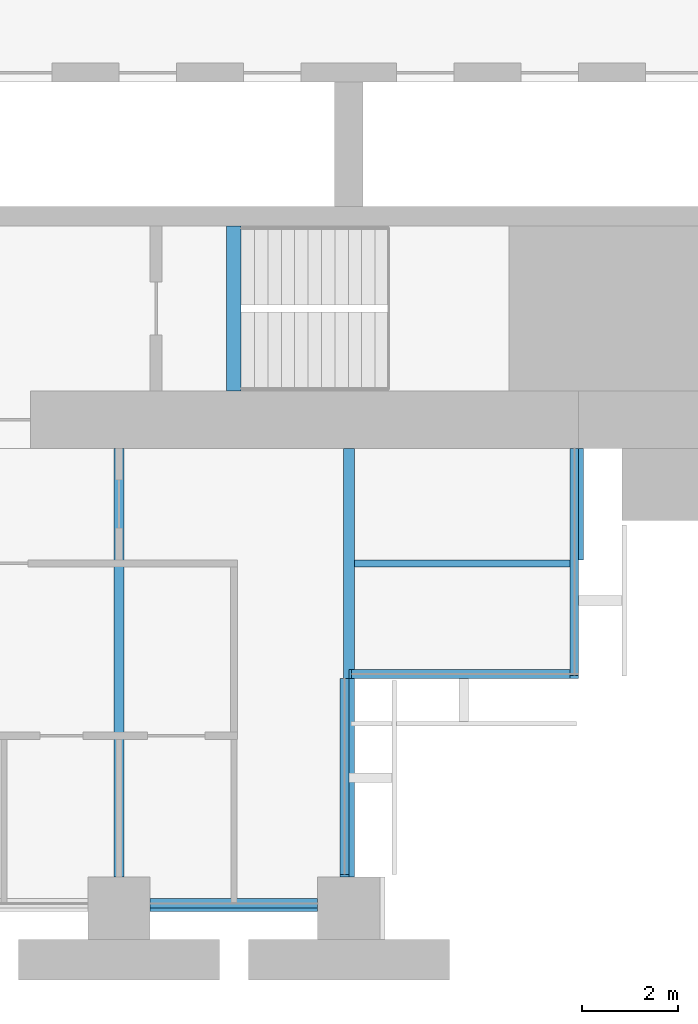
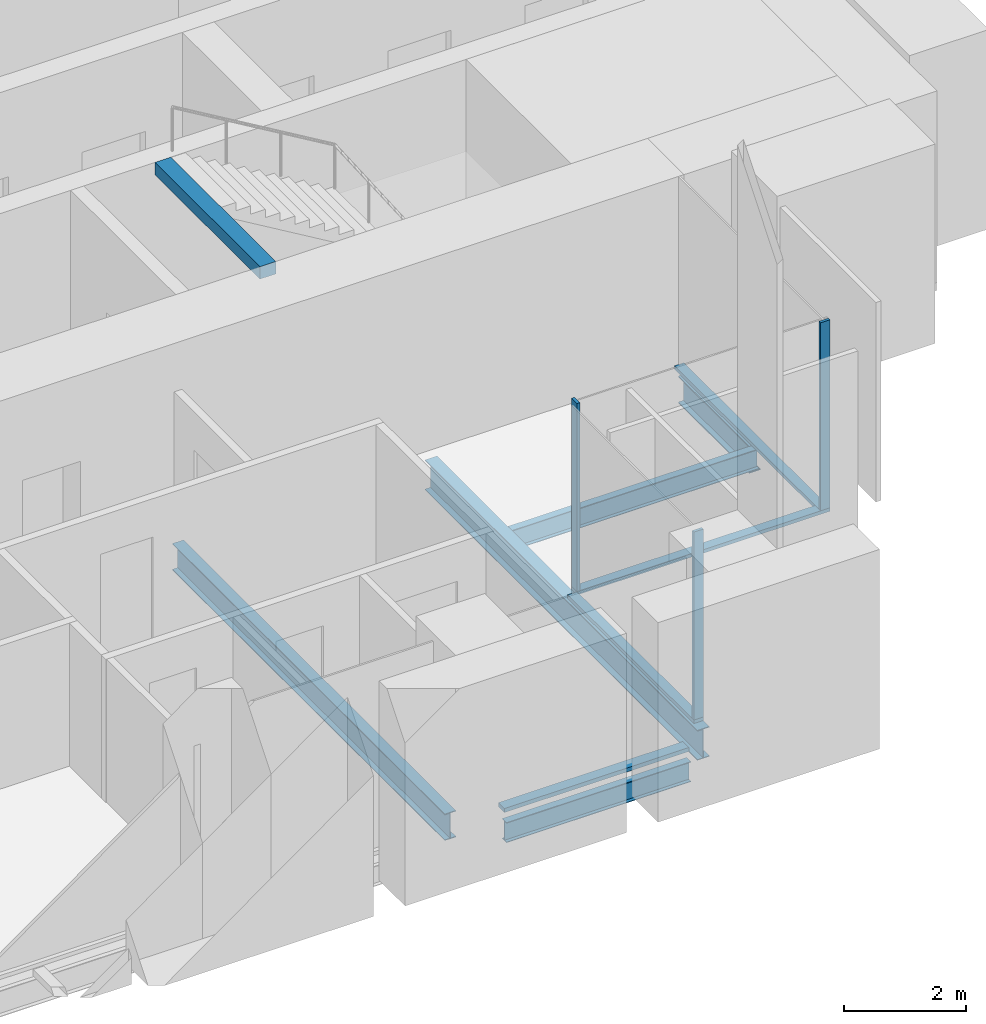
# One storey, part 4 of 14: 7 members, 6 beams, 4 elements without a shape of their own.
"""IFC4 building model written with IfcOpenShell, lengths in metres."""

from ifc_helpers import new_model, si_unit, direction, frame, origin, origin_2d, place, context, subcontext, project, spatial, rectangle, i_section, extrude, material, material_profile, profile_set, type_object, element, aggregate, save


model = new_model("IFC4")

# Units and contexts
model_context = context("Model", 3, precision=1e-05, world=origin(), true_north=direction((0.0, 1.0)))
body_context = subcontext(model_context, "Body", "Model", "MODEL_VIEW")
ifc_project = project(units=[si_unit("LENGTHUNIT", "METRE"), si_unit("AREAUNIT", "SQUARE_METRE"), si_unit("VOLUMEUNIT", "CUBIC_METRE"), si_unit("PLANEANGLEUNIT", "RADIAN"), si_unit("MASSUNIT", "GRAM", prefix="KILO")], contexts=[model_context])

# Site, building, storey
site_placement = place(None, origin())
site = spatial("IfcSite", under=ifc_project, at=site_placement, CompositionType="ELEMENT")
building_placement = place(site_placement, origin())
building = spatial("IfcBuilding", under=site, at=building_placement, Name="Baori Bourse Tower", CompositionType="ELEMENT")
storey_placement = place(building_placement, frame((0.0, 0.0, 39.0)))
storey = spatial("IfcBuildingStorey", under=building, at=storey_placement, Name="L07", CompositionType="ELEMENT", Elevation=39.0)

# Curtain wall, member
ifc_material_1 = material(Name="Pale anodised aluminium", Category="aluminium")
curtain_wall_type_1 = type_object("IfcCurtainWallType", Name="CW1 Curtain wall", PredefinedType="NOTDEFINED", material=ifc_material_1)
curtain_wall_1_placement = place(storey_placement, origin())
curtain_wall_1 = element("IfcCurtainWall", 1, at=curtain_wall_1_placement, inside=storey, type_object=curtain_wall_type_1, Name="Curtain wall CW1 L07 11", PredefinedType="NOTDEFINED")
ifc_material_2 = material(Name="Pale anodised aluminium", Category="aluminium")
ifc_material_profile_1 = material_profile(ifc_material_2, rectangle(XDim=0.199951171875, YDim=0.080078125, at=origin_2d()), Name="Transom 80x200")
ifc_profile_set_1 = profile_set([ifc_material_profile_1], Name="Pale anodised aluminium")
member_type_1 = type_object("IfcMemberType", Name="CW1 Curtain wall transom", PredefinedType="USERDEFINED", material=ifc_profile_set_1)
member_1_placement = place(storey_placement, frame((43.85009765625, 0.10009765625, 0.0400390625), z_axis=(1.0, 0.0, 0.0), x_axis=(0.0, 1.0, 0.0)))
member_1 = element("IfcMember", 2, at=member_1_placement, type_object=member_type_1, Name="Curtain wall CW1 sill rail", ObjectType="TRANSOM", PredefinedType="USERDEFINED", context=body_context, shape_type="SweptSolid", body=[
    extrude(rectangle(XDim=0.199951171875, YDim=0.080078125, at=origin_2d()), origin(), (0.0, 0.0, 1.0), 3.5),
])
aggregate(curtain_wall_1, [member_1])

ifc_material_3 = material(Name="Pale anodised aluminium", Category="aluminium")
curtain_wall_type_2 = type_object("IfcCurtainWallType", Name="CW2 Curtain wall", PredefinedType="NOTDEFINED", material=ifc_material_3)
curtain_wall_2_placement = place(storey_placement, origin())
curtain_wall_2 = element("IfcCurtainWall", 3, at=curtain_wall_2_placement, inside=storey, type_object=curtain_wall_type_2, Name="Curtain wall CW2 L07 12", PredefinedType="NOTDEFINED")
ifc_material_4 = material(Name="Pale anodised aluminium", Category="aluminium")
ifc_material_profile_2 = material_profile(ifc_material_4, rectangle(XDim=0.179931640625, YDim=0.054931640625, at=origin_2d()), Name="Mullion 55x180")
ifc_profile_set_2 = profile_set([ifc_material_profile_2], Name="Pale anodised aluminium")
member_type_2 = type_object("IfcMemberType", Name="CW2 Curtain wall mullion", PredefinedType="MULLION", material=ifc_profile_set_2)
member_2_placement = place(storey_placement, frame((47.909912109375, 0.677490234375, 0.070068359375), z_axis=(0.0, 0.0, 1.0), x_axis=(-1.0, 0.0, 0.0)))
member_2 = element("IfcMember", 4, at=member_2_placement, type_object=member_type_2, Name="Curtain wall CW2 mullion", PredefinedType="MULLION", context=body_context, shape_type="SweptSolid", body=[
    extrude(rectangle(XDim=0.179931640625, YDim=0.054931640625, at=origin_2d()), origin(), (0.0, 0.0, 1.0), 3.77001953125),
])

curtain_wall_3_placement = place(storey_placement, origin())
curtain_wall_3 = element("IfcCurtainWall", 5, at=curtain_wall_3_placement, inside=storey, type_object=curtain_wall_type_2, Name="Curtain wall CW2 L07 13", PredefinedType="NOTDEFINED")
member_3_placement = place(storey_placement, frame((48.027587890625, 4.889892578125, 0.070068359375), z_axis=(0.0, 0.0, 1.0), x_axis=(0.0, 1.0, 0.0)))
member_3 = element("IfcMember", 6, at=member_3_placement, type_object=member_type_2, Name="Curtain wall CW2 mullion", PredefinedType="MULLION", context=body_context, shape_type="SweptSolid", body=[
    extrude(rectangle(XDim=0.179931640625, YDim=0.054931640625, at=origin_2d()), origin(), (0.0, 0.0, 1.0), 3.77001953125),
])

curtain_wall_4_placement = place(storey_placement, origin())
curtain_wall_4 = element("IfcCurtainWall", 7, at=curtain_wall_4_placement, inside=storey, type_object=curtain_wall_type_2, Name="Curtain wall CW2 L07 14", PredefinedType="NOTDEFINED")
member_4_placement = place(storey_placement, frame((52.7099609375, 4.827392578125, 0.070068359375), z_axis=(0.0, 0.0, 1.0), x_axis=(-1.0, 0.0, 0.0)))
member_4 = element("IfcMember", 8, at=member_4_placement, type_object=member_type_2, Name="Curtain wall CW2 mullion", PredefinedType="MULLION", context=body_context, shape_type="SweptSolid", body=[
    extrude(rectangle(XDim=0.179931640625, YDim=0.054931640625, at=origin_2d()), origin(), (0.0, 0.0, 1.0), 3.77001953125),
])

# Member
ifc_material_5 = material(Name="Pale anodised aluminium", Category="aluminium")
ifc_material_profile_3 = material_profile(ifc_material_5, rectangle(XDim=0.179931640625, YDim=0.070068359375, at=origin_2d()), Name="Transom 70x180")
ifc_profile_set_3 = profile_set([ifc_material_profile_3], Name="Pale anodised aluminium")
member_type_3 = type_object("IfcMemberType", Name="CW2 Curtain wall transom", PredefinedType="USERDEFINED", material=ifc_profile_set_3)
member_5_placement = place(storey_placement, frame((47.909912109375, 0.64990234375, 0.034912109375), z_axis=(0.0, 1.0, 0.0), x_axis=(-1.0, 0.0, 0.0)))
member_5 = element("IfcMember", 9, at=member_5_placement, type_object=member_type_3, Name="Curtain wall CW2 sill rail", ObjectType="TRANSOM", PredefinedType="USERDEFINED", context=body_context, shape_type="SweptSolid", body=[
    extrude(rectangle(XDim=0.179931640625, YDim=0.070068359375, at=origin_2d()), origin(), (0.0, 0.0, 1.0), 4.150146484375),
])

aggregate(curtain_wall_2, [member_5, member_2])

member_6_placement = place(storey_placement, frame((48.0, 4.889892578125, 0.034912109375), z_axis=(1.0, 0.0, 0.0), x_axis=(0.0, 1.0, 0.0)))
member_6 = element("IfcMember", 10, at=member_6_placement, type_object=member_type_3, Name="Curtain wall CW2 sill rail", ObjectType="TRANSOM", PredefinedType="USERDEFINED", context=body_context, shape_type="SweptSolid", body=[
    extrude(rectangle(XDim=0.179931640625, YDim=0.070068359375, at=origin_2d()), origin(), (0.0, 0.0, 1.0), 4.800048828125),
])

aggregate(curtain_wall_3, [member_6, member_3])

member_7_placement = place(storey_placement, frame((52.7099609375, 4.800048828125, 0.034912109375), z_axis=(0.0, 1.0, 0.0), x_axis=(-1.0, 0.0, 0.0)))
member_7 = element("IfcMember", 11, at=member_7_placement, type_object=member_type_3, Name="Curtain wall CW2 sill rail", ObjectType="TRANSOM", PredefinedType="USERDEFINED", context=body_context, shape_type="SweptSolid", body=[
    extrude(rectangle(XDim=0.179931640625, YDim=0.070068359375, at=origin_2d()), origin(), (0.0, 0.0, 1.0), 4.800048828125),
])

aggregate(curtain_wall_4, [member_7, member_4])

# Beams
ifc_material_6 = material(Name="Steel A992 Gr 50", Category="steel")
ifc_material_profile_4 = material_profile(ifc_material_6, i_section(OverallWidth=0.21240234375, OverallDepth=0.54345703125, WebThickness=0.01318359375, FlangeThickness=0.021240234375, at=origin_2d()), Name="W21x83")
ifc_profile_set_4 = profile_set([ifc_material_profile_4], Name="Steel A992 Gr 50")
beam_type_1 = type_object("IfcBeamType", Name="Core bracket W21x83", PredefinedType="BEAM", material=ifc_profile_set_4)
beam_1_placement = place(storey_placement, frame((52.800048828125, 7.270263671875, -0.431884765625), z_axis=(0.0, 1.0, 0.0), x_axis=(-1.0, 0.0, 0.0)))
element("IfcBeam", 12, at=beam_1_placement, inside=storey, type_object=beam_type_1, Name="Core bracket L07", PredefinedType="BEAM", context=body_context, shape_type="SweptSolid", body=[
    extrude(i_section(OverallWidth=0.21240234375, OverallDepth=0.54345703125, WebThickness=0.01318359375, FlangeThickness=0.021240234375, at=origin_2d()), origin(), (0.0, 0.0, 1.0), 2.329833984375),
])
ifc_material_7 = material(Name="Steel A992 Gr 50", Category="steel")
ifc_material_profile_5 = material_profile(ifc_material_7, i_section(OverallWidth=0.140380859375, OverallDepth=0.40380859375, WebThickness=0.007080078125, FlangeThickness=0.01123046875, at=origin_2d()), Name="W16x31")
ifc_profile_set_5 = profile_set([ifc_material_profile_5], Name="Steel A992 Gr 50")
beam_type_2 = type_object("IfcBeamType", Name="Edge beam W16x31", PredefinedType="BEAM", material=ifc_profile_set_5)
beam_2_placement = place(storey_placement, frame((43.85009765625, 0.0, -0.36181640625), z_axis=(1.0, 0.0, 0.0), x_axis=(0.0, 1.0, 0.0)))
element("IfcBeam", 13, at=beam_2_placement, inside=storey, type_object=beam_type_2, Name="Edge beam L07", PredefinedType="BEAM", context=body_context, shape_type="SweptSolid", body=[
    extrude(i_section(OverallWidth=0.140380859375, OverallDepth=0.40380859375, WebThickness=0.007080078125, FlangeThickness=0.01123046875, at=origin_2d()), origin(), (0.0, 0.0, 1.0), 3.5),
])
ifc_material_8 = material(Name="Steel A992 Gr 50", Category="steel")
ifc_material_profile_6 = material_profile(ifc_material_8, i_section(OverallWidth=0.209228515625, OverallDepth=0.533447265625, WebThickness=0.01025390625, FlangeThickness=0.015625, at=origin_2d()), Name="W21x62")
ifc_profile_set_6 = profile_set([ifc_material_profile_6], Name="Steel A992 Gr 50")
beam_type_3 = type_object("IfcBeamType", Name="Floor beam W21x62", PredefinedType="BEAM", material=ifc_profile_set_6)
beam_3_placement = place(storey_placement, frame((43.199951171875, 0.64990234375, -0.4267578125), z_axis=(0.0, 1.0, 0.0), x_axis=(-1.0, 0.0, 0.0)))
element("IfcBeam", 14, at=beam_3_placement, inside=storey, type_object=beam_type_3, Name="Floor beam L07", PredefinedType="BEAM", context=body_context, shape_type="SweptSolid", body=[
    extrude(i_section(OverallWidth=0.209228515625, OverallDepth=0.533447265625, WebThickness=0.01025390625, FlangeThickness=0.015625, at=origin_2d()), origin(), (0.0, 0.0, 1.0), 8.9501953125),
])
ifc_material_9 = material(Name="Steel A992 Gr 50", Category="steel")
ifc_material_profile_7 = material_profile(ifc_material_9, i_section(OverallWidth=0.227783203125, OverallDepth=0.60205078125, WebThickness=0.010498046875, FlangeThickness=0.014892578125, at=origin_2d()), Name="W24x68")
ifc_profile_set_7 = profile_set([ifc_material_profile_7], Name="Steel A992 Gr 50")
beam_type_4 = type_object("IfcBeamType", Name="Floor beam W24x68", PredefinedType="BEAM", material=ifc_profile_set_7)
beam_4_placement = place(storey_placement, frame((48.0, 0.64990234375, -0.4609375), z_axis=(0.0, 1.0, 0.0), x_axis=(-1.0, 0.0, 0.0)))
element("IfcBeam", 15, at=beam_4_placement, inside=storey, type_object=beam_type_4, Name="Floor beam L07", PredefinedType="BEAM", context=body_context, shape_type="SweptSolid", body=[
    extrude(i_section(OverallWidth=0.227783203125, OverallDepth=0.60205078125, WebThickness=0.010498046875, FlangeThickness=0.014892578125, at=origin_2d()), origin(), (0.0, 0.0, 1.0), 8.9501953125),
])
ifc_material_10 = material(Name="Concrete f'c 50 MPa", Category="concrete")
ifc_material_profile_8 = material_profile(ifc_material_10, rectangle(XDim=0.300048828125, YDim=0.25, at=origin_2d()), Name="RC 300x250")
ifc_profile_set_8 = profile_set([ifc_material_profile_8], Name="Concrete f'c 50 MPa")
beam_type_5 = type_object("IfcBeamType", Name="Stair nib beam RC 300x250", PredefinedType="BEAM", material=ifc_profile_set_8)
beam_5_placement = place(storey_placement, frame((45.60009765625, 10.800048828125, 3.715087890625), z_axis=(0.0, 1.0, 0.0), x_axis=(-1.0, 0.0, 0.0)))
element("IfcBeam", 16, at=beam_5_placement, inside=storey, type_object=beam_type_5, Name="Stair EA nib beam L08", PredefinedType="BEAM", context=body_context, shape_type="SweptSolid", body=[
    extrude(rectangle(XDim=0.300048828125, YDim=0.25, at=origin_2d()), origin(), (0.0, 0.0, 1.0), 3.449951171875),
])
ifc_material_11 = material(Name="Steel A992 Gr 50", Category="steel")
ifc_material_profile_9 = material_profile(ifc_material_11, i_section(OverallWidth=0.140380859375, OverallDepth=0.40380859375, WebThickness=0.007080078125, FlangeThickness=0.01123046875, at=origin_2d()), Name="W16x31")
ifc_profile_set_9 = profile_set([ifc_material_profile_9], Name="Steel A992 Gr 50")
beam_type_6 = type_object("IfcBeamType", Name="Trimmer beam W16x31", PredefinedType="BEAM", material=ifc_profile_set_9)
beam_6_placement = place(storey_placement, frame((48.114013671875, 7.199951171875, -0.36181640625), z_axis=(1.0, 0.0, 0.0), x_axis=(0.0, 1.0, 0.0)))
element("IfcBeam", 17, at=beam_6_placement, inside=storey, type_object=beam_type_6, Name="Trimmer beam L07", PredefinedType="BEAM", context=body_context, shape_type="SweptSolid", body=[
    extrude(i_section(OverallWidth=0.140380859375, OverallDepth=0.40380859375, WebThickness=0.007080078125, FlangeThickness=0.01123046875, at=origin_2d()), origin(), (0.0, 0.0, 1.0), 4.68603515625),
])

save(model, "model.ifc")
